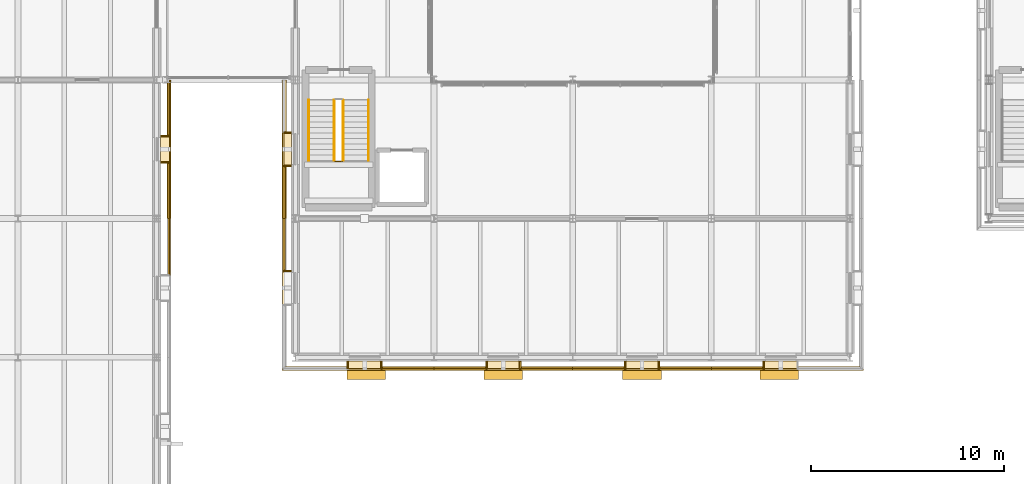
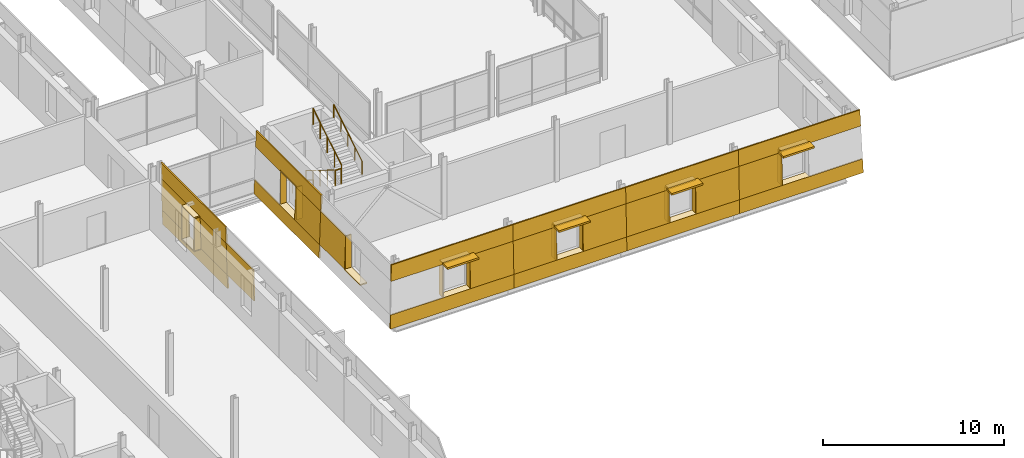
# One storey, part 95 of 115: 48 coverings, 5 railings, 4 shading devices.
"""IFC4 building model written with IfcOpenShell, lengths in metres."""

from ifc_helpers import new_model, si_unit, direction, frame, origin, origin_2d, place, context, subcontext, project, spatial, polyline, rectangle, circle, outline, extrude, material, layer, layer_set, type_object, element, save


model = new_model("IFC4")

# Units and contexts
model_context = context("Model", 3, precision=1e-05, world=origin(), true_north=direction((0.0, 1.0)))
body_context = subcontext(model_context, "Body", "Model", "MODEL_VIEW")
ifc_project = project(units=[si_unit("LENGTHUNIT", "METRE"), si_unit("AREAUNIT", "SQUARE_METRE"), si_unit("VOLUMEUNIT", "CUBIC_METRE"), si_unit("PLANEANGLEUNIT", "RADIAN"), si_unit("MASSUNIT", "GRAM", prefix="KILO")], contexts=[model_context])

# Site, building, storey
site_placement = place(None, origin())
site = spatial("IfcSite", under=ifc_project, at=site_placement, CompositionType="ELEMENT")
building_placement = place(site_placement, origin())
building = spatial("IfcBuilding", under=site, at=building_placement, Name="Narikvali Park Central Library", CompositionType="ELEMENT")
storey_placement = place(building_placement, frame((0.0, 0.0, 10.199951171875)))
storey = spatial("IfcBuildingStorey", under=building, at=storey_placement, Name="L02", CompositionType="ELEMENT", Elevation=10.199951171875)

# Coverings
ifc_material_1 = material(Name="White Honed Limestone Cladding", Category="masonry")
ifc_layer_1 = layer(ifc_material_1, 0.0849609375, Name="White Honed Limestone Cladding")
ifc_layer_set_1 = layer_set([ifc_layer_1], Name="White Honed Limestone Cladding")
covering_type_1 = type_object("IfcCoveringType", Name="Battered White Limestone Facade Cladding Panel", PredefinedType="CLADDING", material=ifc_layer_set_1)
covering_1_placement = place(storey_placement, frame((28.103515625, 49.70361328125, 0.0), z_axis=(0.0, -0.999432774777, 0.03367682738), x_axis=(1.0, 0.0, 0.0)))
element("IfcCovering", 1, at=covering_1_placement, inside=storey, type_object=covering_type_1, Name="V4 L02 S Battered Limestone Spandrel B01", PredefinedType="CLADDING", context=body_context, shape_type="SweptSolid", body=[
    extrude(outline(polyline([(0.0, 0.0), (7.896484375, 0.0), (7.896484375, 0.9206882532251457), (0.031005859375, 0.9206882532251457), (0.0, 0.0)])), origin(), (0.0, 0.0, -1.0), 0.0849609375),
])
covering_2_placement = place(storey_placement, frame((28.208740234375, 49.80859375, 3.1201171875), z_axis=(0.0, -0.999425428317, 0.033894147467), x_axis=(1.0, 0.0, 0.0)))
element("IfcCovering", 2, at=covering_2_placement, inside=storey, type_object=covering_type_1, Name="V4 L02 S Battered Limestone Lintel B01", PredefinedType="CLADDING", context=body_context, shape_type="SweptSolid", body=[
    extrude(outline(polyline([(0.0, 0.0), (7.791259765625, 0.0), (7.791259765625, 1.0804547830976703), (0.036376953125, 1.0804547830976703), (0.0, 0.0)])), origin(), (0.0, 0.0, -1.0), 0.0849609375),
])
covering_3_placement = place(storey_placement, frame((33.239990234375, 49.734619140625, 0.920166015625), z_axis=(0.0, -0.999435139525, 0.033606574995), x_axis=(1.0, 0.0, 0.0)))
element("IfcCovering", 3, at=covering_3_placement, inside=storey, type_object=covering_type_1, Name="V4 L02 S Battered Limestone Jamb Pier R B01", PredefinedType="CLADDING", context=body_context, shape_type="SweptSolid", body=[
    extrude(outline(polyline([(0.0, 0.0), (2.760009765625, 0.0), (2.760009765625, 2.201194539668489), (0.0, 2.201194539668489), (0.0, 0.0)])), origin(), (0.0, 0.0, -1.0), 0.0849609375),
])
covering_4_placement = place(storey_placement, frame((36.0, 49.70361328125, 0.0), z_axis=(0.0, -0.999432774777, 0.03367682738), x_axis=(1.0, 0.0, 0.0)))
element("IfcCovering", 4, at=covering_4_placement, inside=storey, type_object=covering_type_1, Name="V4 L02 S Battered Limestone Spandrel B02", PredefinedType="CLADDING", context=body_context, shape_type="SweptSolid", body=[
    extrude(outline(polyline([(0.0, 0.0), (7.199951171875, 0.0), (7.199951171875, 0.9206882532251458), (0.0, 0.9206882532251458), (0.0, 0.0)])), origin(), (0.0, 0.0, -1.0), 0.0849609375),
])
covering_5_placement = place(storey_placement, frame((36.0, 49.80859375, 3.1201171875), z_axis=(0.0, -0.999425428317, 0.033894147467), x_axis=(1.0, 0.0, 0.0)))
element("IfcCovering", 5, at=covering_5_placement, inside=storey, type_object=covering_type_1, Name="V4 L02 S Battered Limestone Lintel B02", PredefinedType="CLADDING", context=body_context, shape_type="SweptSolid", body=[
    extrude(outline(polyline([(0.0, 0.0), (7.199951171875, 0.0), (7.199951171875, 1.0804547830976703), (0.0, 1.0804547830976703), (0.0, 0.0)])), origin(), (0.0, 0.0, -1.0), 0.0849609375),
])
for number, where, z_axis, x_axis, name in (
    (6, (36.0, 49.734619140625, 0.920166015625), (0.0, -0.999435139525, 0.033606574995), (1.0, 0.0, 0.0), "V4 L02 S Battered Limestone Jamb Pier L B02"),
    (7, (40.43994140625, 49.734619140625, 0.920166015625), (0.0, -0.999435139525, 0.033606574995), (1.0, 0.0, 0.0), "V4 L02 S Battered Limestone Jamb Pier R B02"),
):
    element("IfcCovering", number, at=place(storey_placement, frame(where, z_axis=z_axis, x_axis=x_axis)), inside=storey, type_object=covering_type_1, Name=name, PredefinedType="CLADDING", context=body_context, shape_type="SweptSolid", body=[
        extrude(outline(polyline([(0.0, 0.0), (2.760009765625, 0.0), (2.760009765625, 2.201194539668489), (0.0, 2.201194539668489), (0.0, 0.0)])), origin(), (0.0, 0.0, -1.0), 0.0849609375),
    ])
covering_6_placement = place(storey_placement, frame((43.199951171875, 49.70361328125, 0.0), z_axis=(0.0, -0.999432774777, 0.03367682738), x_axis=(1.0, 0.0, 0.0)))
element("IfcCovering", 8, at=covering_6_placement, inside=storey, type_object=covering_type_1, Name="V4 L02 S Battered Limestone Spandrel B03", PredefinedType="CLADDING", context=body_context, shape_type="SweptSolid", body=[
    extrude(outline(polyline([(0.0, 0.0), (7.199951171875, 0.0), (7.199951171875, 0.9206882532251458), (0.0, 0.9206882532251458), (0.0, 0.0)])), origin(), (0.0, 0.0, -1.0), 0.0849609375),
])
covering_7_placement = place(storey_placement, frame((43.199951171875, 49.80859375, 3.1201171875), z_axis=(0.0, -0.999425428317, 0.033894147467), x_axis=(1.0, 0.0, 0.0)))
element("IfcCovering", 9, at=covering_7_placement, inside=storey, type_object=covering_type_1, Name="V4 L02 S Battered Limestone Lintel B03", PredefinedType="CLADDING", context=body_context, shape_type="SweptSolid", body=[
    extrude(outline(polyline([(0.0, 0.0), (7.199951171875, 0.0), (7.199951171875, 1.0804547830976703), (0.0, 1.0804547830976703), (0.0, 0.0)])), origin(), (0.0, 0.0, -1.0), 0.0849609375),
])
for number, where, z_axis, x_axis, name in (
    (10, (43.199951171875, 49.734619140625, 0.920166015625), (0.0, -0.999435139525, 0.033606574995), (1.0, 0.0, 0.0), "V4 L02 S Battered Limestone Jamb Pier L B03"),
    (11, (47.639892578125, 49.734619140625, 0.920166015625), (0.0, -0.999435139525, 0.033606574995), (1.0, 0.0, 0.0), "V4 L02 S Battered Limestone Jamb Pier R B03"),
):
    element("IfcCovering", number, at=place(storey_placement, frame(where, z_axis=z_axis, x_axis=x_axis)), inside=storey, type_object=covering_type_1, Name=name, PredefinedType="CLADDING", context=body_context, shape_type="SweptSolid", body=[
        extrude(outline(polyline([(0.0, 0.0), (2.760009765625, 0.0), (2.760009765625, 2.201194539668489), (0.0, 2.201194539668489), (0.0, 0.0)])), origin(), (0.0, 0.0, -1.0), 0.0849609375),
    ])
covering_8_placement = place(storey_placement, frame((50.39990234375, 49.70361328125, 0.0), z_axis=(0.0, -0.999432774777, 0.03367682738), x_axis=(1.0, 0.0, 0.0)))
element("IfcCovering", 12, at=covering_8_placement, inside=storey, type_object=covering_type_1, Name="V4 L02 S Battered Limestone Spandrel B04", PredefinedType="CLADDING", context=body_context, shape_type="SweptSolid", body=[
    extrude(outline(polyline([(0.0, 0.0), (7.896484375, 0.0), (7.865478515625, 0.9206882532251457), (0.0, 0.9206882532251457), (0.0, 0.0)])), origin(), (0.0, 0.0, -1.0), 0.0849609375),
])
covering_9_placement = place(storey_placement, frame((50.39990234375, 49.80859375, 3.1201171875), z_axis=(0.0, -0.999425428317, 0.033894147467), x_axis=(1.0, 0.0, 0.0)))
element("IfcCovering", 13, at=covering_9_placement, inside=storey, type_object=covering_type_1, Name="V4 L02 S Battered Limestone Lintel B04", PredefinedType="CLADDING", context=body_context, shape_type="SweptSolid", body=[
    extrude(outline(polyline([(0.0, 0.0), (7.79150390625, 0.0), (7.7548828125, 1.0804547830976703), (0.0, 1.0804547830976703), (0.0, 0.0)])), origin(), (0.0, 0.0, -1.0), 0.0849609375),
])
covering_10_placement = place(storey_placement, frame((50.39990234375, 49.734619140625, 0.920166015625), z_axis=(0.0, -0.999435139525, 0.033606574995), x_axis=(1.0, 0.0, 0.0)))
element("IfcCovering", 14, at=covering_10_placement, inside=storey, type_object=covering_type_1, Name="V4 L02 S Battered Limestone Jamb Pier L B04", PredefinedType="CLADDING", context=body_context, shape_type="SweptSolid", body=[
    extrude(outline(polyline([(0.0, 0.0), (2.760009765625, 0.0), (2.760009765625, 2.201194539668489), (0.0, 2.201194539668489), (0.0, 0.0)])), origin(), (0.0, 0.0, -1.0), 0.0849609375),
])
covering_11_placement = place(storey_placement, frame((28.103515625, 64.800048828125, 0.0), z_axis=(-0.999432774777, 0.0, 0.03367682738), x_axis=(0.0, -1.0, 0.0)))
element("IfcCovering", 15, at=covering_11_placement, inside=storey, type_object=covering_type_1, Name="V4 L02 W Battered Limestone Spandrel B08", PredefinedType="CLADDING", context=body_context, shape_type="SweptSolid", body=[
    extrude(outline(polyline([(0.0, 0.0), (7.199951171875, 0.0), (7.199951171875, 0.9206882532251458), (0.0, 0.9206882532251458), (0.0, 0.0)])), origin(), (0.0, 0.0, -1.0), 0.0849609375),
])
covering_12_placement = place(storey_placement, frame((28.208740234375, 64.800048828125, 3.1201171875), z_axis=(-0.999433057245, 0.0, 0.033668443484), x_axis=(0.0, -1.0, 0.0)))
element("IfcCovering", 16, at=covering_12_placement, inside=storey, type_object=covering_type_1, Name="V4 L02 W Battered Limestone Lintel B08", PredefinedType="CLADDING", context=body_context, shape_type="SweptSolid", body=[
    extrude(outline(polyline([(0.0, 0.0), (7.199951171875, 0.0), (7.199951171875, 1.0804465357109745), (0.0, 1.0804465357109745), (0.0, 0.0)])), origin(), (0.0, 0.0, -1.0), 0.0849609375),
])
for number, where, z_axis, x_axis, name in (
    (17, (28.134521484375, 60.360107421875, 0.920166015625), (-0.999431408105, 0.0, 0.033717361898), (0.0, -1.0, 0.0), "V4 L02 W Battered Limestone Jamb Pier R B08"),
    (18, (28.134521484375, 57.60009765625, 0.920166015625), (-0.999431408105, 0.0, 0.033717361898), (0.0, -1.0, 0.0), "V4 L02 W Battered Limestone Jamb Pier L B09"),
):
    element("IfcCovering", number, at=place(storey_placement, frame(where, z_axis=z_axis, x_axis=x_axis)), inside=storey, type_object=covering_type_1, Name=name, PredefinedType="CLADDING", context=body_context, shape_type="SweptSolid", body=[
        extrude(outline(polyline([(0.0, 0.0), (2.760009765625, 0.0), (2.760009765625, 2.2012027579225295), (0.0, 2.2012027579225295), (0.0, 0.0)])), origin(), (0.0, 0.0, -1.0), 0.0849609375),
    ])
covering_13_placement = place(storey_placement, frame((22.32373046875, 54.639892578125, 0.949951171875), z_axis=(0.99959734633, 0.0, 0.028375080797), x_axis=(0.0, 1.0, 0.0)))
element("IfcCovering", 19, at=covering_13_placement, inside=storey, type_object=covering_type_1, Name="V5 L02 E Battered Limestone Jamb Pier R B04", PredefinedType="CLADDING", context=body_context, shape_type="SweptSolid", body=[
    extrude(outline(polyline([(0.0, 0.0), (2.960205078125, 0.0), (2.960205078125, 2.1510125974918495), (0.0, 2.1510125974918495), (0.0, 0.0)])), origin(), (0.0, 0.0, -1.0), 0.0849609375),
])
covering_14_placement = place(storey_placement, frame((22.3505859375, 57.60009765625, 0.0), z_axis=(0.999600632529, 0.0, 0.02825907725), x_axis=(0.0, 1.0, 0.0)))
element("IfcCovering", 20, at=covering_14_placement, inside=storey, type_object=covering_type_1, Name="V5 L02 E Battered Limestone Spandrel B05", PredefinedType="CLADDING", context=body_context, shape_type="SweptSolid", body=[
    extrude(outline(polyline([(0.0, 0.0), (7.199951171875, 0.0), (7.199951171875, 0.9503307030441919), (0.0, 0.9503307030441919), (0.0, 0.0)])), origin(), (0.0, 0.0, -1.0), 0.0849609375),
])
covering_15_placement = place(storey_placement, frame((22.2626953125, 57.60009765625, 3.10009765625), z_axis=(0.999596598509, 0.0, 0.028401412788), x_axis=(0.0, 1.0, 0.0)))
element("IfcCovering", 21, at=covering_15_placement, inside=storey, type_object=covering_type_1, Name="V5 L02 E Battered Limestone Lintel B05", PredefinedType="CLADDING", context=body_context, shape_type="SweptSolid", body=[
    extrude(outline(polyline([(0.0, 0.0), (7.199951171875, 0.0), (7.199951171875, 1.100297377227026), (0.0, 1.100297377227026), (0.0, 0.0)])), origin(), (0.0, 0.0, -1.0), 0.0849609375),
])
for number, where, z_axis, x_axis, name in (
    (22, (22.32373046875, 57.60009765625, 0.949951171875), (0.99959734633, 0.0, 0.028375080797), (0.0, 1.0, 0.0), "V5 L02 E Battered Limestone Jamb Pier L B05"),
    (23, (22.32373046875, 61.840087890625, 0.949951171875), (0.99959734633, 0.0, 0.028375080797), (0.0, 1.0, 0.0), "V5 L02 E Battered Limestone Jamb Pier R B05"),
):
    element("IfcCovering", number, at=place(storey_placement, frame(where, z_axis=z_axis, x_axis=x_axis)), inside=storey, type_object=covering_type_1, Name=name, PredefinedType="CLADDING", context=body_context, shape_type="SweptSolid", body=[
        extrude(outline(polyline([(0.0, 0.0), (2.9599609375, 0.0), (2.9599609375, 2.1510125974918495), (0.0, 2.1510125974918495), (0.0, 0.0)])), origin(), (0.0, 0.0, -1.0), 0.0849609375),
    ])

# Shading devices
ifc_material_2 = material(Name="Anodised Bronze Aluminium", Category="aluminium")
ifc_layer_2 = layer(ifc_material_2, 0.1201171875, Name="Anodised Bronze Aluminium")
ifc_layer_set_2 = layer_set([ifc_layer_2], Name="Anodised Bronze Aluminium")
shading_device_type = type_object("IfcShadingDeviceType", Name="Bronze Classical Cornice Sun Brise-Soleil 650", PredefinedType="SHUTTER", material=ifc_layer_set_2)
for number, where, z_axis, x_axis, name in (
    (24, (32.47705078125, 49.568603515625, 3.119873046875), (0.0, 0.0, 1.0), (1.0, 0.0, 0.0), "V4 L02 Classical Bronze Brise-Soleil 01"),
    (25, (39.60009765625, 49.568603515625, 3.119873046875), (0.0, 0.0, 1.0), (1.0, 0.0, 0.0), "V4 L02 Classical Bronze Brise-Soleil 02"),
    (26, (46.800048828125, 49.568603515625, 3.119873046875), (0.0, 0.0, 1.0), (1.0, 0.0, 0.0), "V4 L02 Classical Bronze Brise-Soleil 03"),
    (27, (53.923095703125, 49.568603515625, 3.119873046875), (0.0, 0.0, 1.0), (1.0, 0.0, 0.0), "V4 L02 Classical Bronze Brise-Soleil 04"),
):
    element("IfcShadingDevice", number, at=place(storey_placement, frame(where, z_axis=z_axis, x_axis=x_axis)), inside=storey, type_object=shading_device_type, Name=name, PredefinedType="SHUTTER", context=body_context, shape_type="SweptSolid", body=[
        extrude(rectangle(XDim=2.0, YDim=0.64990234375, at=origin_2d()), origin(), (0.0, 0.0, 1.0), 0.1201171875),
    ])

# Coverings
ifc_layer_3 = layer(ifc_material_1, 0.080078125, Name="White Honed Limestone Cladding")
ifc_layer_set_3 = layer_set([ifc_layer_3], Name="White Honed Limestone Cladding")
covering_type_2 = type_object("IfcCoveringType", Name="Deep Carved White Limestone Window Reveal", PredefinedType="CLADDING", material=ifc_layer_set_3)
covering_16_placement = place(storey_placement, frame((0.0, 0.0, 3.1201171875)))
element("IfcCovering", 28, at=covering_16_placement, inside=storey, type_object=covering_type_2, Name="Deep Stone Reveal Head V4-RVL-L02-S-B01", PredefinedType="CLADDING", context=body_context, shape_type="SweptSolid", body=[
    extrude(outline(polyline([(31.52001953125, 50.195068359375), (33.280029296875, 50.195068359375), (33.280029296875, 49.80859375), (31.52001953125, 49.80859375), (31.52001953125, 50.195068359375)])), origin(), (0.0, 0.0, 1.0), 0.079833984375),
])
covering_17_placement = place(storey_placement, frame((0.0, 0.0, 0.840087890625)))
element("IfcCovering", 29, at=covering_17_placement, inside=storey, type_object=covering_type_2, Name="Deep Stone Reveal Sill V4-RVL-L02-S-B01", PredefinedType="CLADDING", context=body_context, shape_type="SweptSolid", body=[
    extrude(outline(polyline([(31.52001953125, 50.195068359375), (33.280029296875, 50.195068359375), (33.280029296875, 49.734619140625), (31.52001953125, 49.734619140625), (31.52001953125, 50.195068359375)])), origin(), (0.0, 0.0, 1.0), 0.080078125),
])
covering_18_placement = place(storey_placement, frame((0.0, 0.0, 0.920166015625)))
element("IfcCovering", 30, at=covering_18_placement, inside=storey, type_object=covering_type_2, Name="Deep Stone Reveal Jamb L V4-RVL-L02-S-B01", PredefinedType="CLADDING", context=body_context, shape_type="SweptSolid", body=[
    extrude(outline(polyline([(31.47998046875, 50.195068359375), (31.56005859375, 50.195068359375), (31.56005859375, 49.80859375), (31.47998046875, 49.80859375), (31.47998046875, 50.195068359375)])), origin(), (0.0, 0.0, 1.0), 2.199951171875),
])
covering_19_placement = place(storey_placement, frame((0.0, 0.0, 0.920166015625)))
element("IfcCovering", 31, at=covering_19_placement, inside=storey, type_object=covering_type_2, Name="Deep Stone Reveal Jamb R V4-RVL-L02-S-B01", PredefinedType="CLADDING", context=body_context, shape_type="SweptSolid", body=[
    extrude(outline(polyline([(33.239990234375, 50.195068359375), (33.320068359375, 50.195068359375), (33.320068359375, 49.80859375), (33.239990234375, 49.80859375), (33.239990234375, 50.195068359375)])), origin(), (0.0, 0.0, 1.0), 2.199951171875),
])
covering_20_placement = place(storey_placement, frame((0.0, 0.0, 3.1201171875)))
element("IfcCovering", 32, at=covering_20_placement, inside=storey, type_object=covering_type_2, Name="Deep Stone Reveal Head V4-RVL-L02-S-B02", PredefinedType="CLADDING", context=body_context, shape_type="SweptSolid", body=[
    extrude(outline(polyline([(38.719970703125, 50.195068359375), (40.47998046875, 50.195068359375), (40.47998046875, 49.80859375), (38.719970703125, 49.80859375), (38.719970703125, 50.195068359375)])), origin(), (0.0, 0.0, 1.0), 0.079833984375),
])
covering_21_placement = place(storey_placement, frame((0.0, 0.0, 0.840087890625)))
element("IfcCovering", 33, at=covering_21_placement, inside=storey, type_object=covering_type_2, Name="Deep Stone Reveal Sill V4-RVL-L02-S-B02", PredefinedType="CLADDING", context=body_context, shape_type="SweptSolid", body=[
    extrude(outline(polyline([(38.719970703125, 50.195068359375), (40.47998046875, 50.195068359375), (40.47998046875, 49.734619140625), (38.719970703125, 49.734619140625), (38.719970703125, 50.195068359375)])), origin(), (0.0, 0.0, 1.0), 0.080078125),
])
covering_22_placement = place(storey_placement, frame((0.0, 0.0, 0.920166015625)))
element("IfcCovering", 34, at=covering_22_placement, inside=storey, type_object=covering_type_2, Name="Deep Stone Reveal Jamb L V4-RVL-L02-S-B02", PredefinedType="CLADDING", context=body_context, shape_type="SweptSolid", body=[
    extrude(outline(polyline([(38.679931640625, 50.195068359375), (38.760009765625, 50.195068359375), (38.760009765625, 49.80859375), (38.679931640625, 49.80859375), (38.679931640625, 50.195068359375)])), origin(), (0.0, 0.0, 1.0), 2.199951171875),
])
covering_23_placement = place(storey_placement, frame((0.0, 0.0, 0.920166015625)))
element("IfcCovering", 35, at=covering_23_placement, inside=storey, type_object=covering_type_2, Name="Deep Stone Reveal Jamb R V4-RVL-L02-S-B02", PredefinedType="CLADDING", context=body_context, shape_type="SweptSolid", body=[
    extrude(outline(polyline([(40.43994140625, 50.195068359375), (40.52001953125, 50.195068359375), (40.52001953125, 49.80859375), (40.43994140625, 49.80859375), (40.43994140625, 50.195068359375)])), origin(), (0.0, 0.0, 1.0), 2.199951171875),
])
covering_24_placement = place(storey_placement, frame((0.0, 0.0, 3.1201171875)))
element("IfcCovering", 36, at=covering_24_placement, inside=storey, type_object=covering_type_2, Name="Deep Stone Reveal Head V4-RVL-L02-S-B03", PredefinedType="CLADDING", context=body_context, shape_type="SweptSolid", body=[
    extrude(outline(polyline([(45.919921875, 50.195068359375), (47.679931640625, 50.195068359375), (47.679931640625, 49.80859375), (45.919921875, 49.80859375), (45.919921875, 50.195068359375)])), origin(), (0.0, 0.0, 1.0), 0.079833984375),
])
covering_25_placement = place(storey_placement, frame((0.0, 0.0, 0.840087890625)))
element("IfcCovering", 37, at=covering_25_placement, inside=storey, type_object=covering_type_2, Name="Deep Stone Reveal Sill V4-RVL-L02-S-B03", PredefinedType="CLADDING", context=body_context, shape_type="SweptSolid", body=[
    extrude(outline(polyline([(45.919921875, 50.195068359375), (47.679931640625, 50.195068359375), (47.679931640625, 49.734619140625), (45.919921875, 49.734619140625), (45.919921875, 50.195068359375)])), origin(), (0.0, 0.0, 1.0), 0.080078125),
])
covering_26_placement = place(storey_placement, frame((0.0, 0.0, 0.920166015625)))
element("IfcCovering", 38, at=covering_26_placement, inside=storey, type_object=covering_type_2, Name="Deep Stone Reveal Jamb L V4-RVL-L02-S-B03", PredefinedType="CLADDING", context=body_context, shape_type="SweptSolid", body=[
    extrude(outline(polyline([(45.8798828125, 50.195068359375), (45.9599609375, 50.195068359375), (45.9599609375, 49.80859375), (45.8798828125, 49.80859375), (45.8798828125, 50.195068359375)])), origin(), (0.0, 0.0, 1.0), 2.199951171875),
])
covering_27_placement = place(storey_placement, frame((0.0, 0.0, 0.920166015625)))
element("IfcCovering", 39, at=covering_27_placement, inside=storey, type_object=covering_type_2, Name="Deep Stone Reveal Jamb R V4-RVL-L02-S-B03", PredefinedType="CLADDING", context=body_context, shape_type="SweptSolid", body=[
    extrude(outline(polyline([(47.639892578125, 50.195068359375), (47.719970703125, 50.195068359375), (47.719970703125, 49.80859375), (47.639892578125, 49.80859375), (47.639892578125, 50.195068359375)])), origin(), (0.0, 0.0, 1.0), 2.199951171875),
])
covering_28_placement = place(storey_placement, frame((0.0, 0.0, 3.1201171875)))
element("IfcCovering", 40, at=covering_28_placement, inside=storey, type_object=covering_type_2, Name="Deep Stone Reveal Head V4-RVL-L02-S-B04", PredefinedType="CLADDING", context=body_context, shape_type="SweptSolid", body=[
    extrude(outline(polyline([(53.1201171875, 50.195068359375), (54.8798828125, 50.195068359375), (54.8798828125, 49.80859375), (53.1201171875, 49.80859375), (53.1201171875, 50.195068359375)])), origin(), (0.0, 0.0, 1.0), 0.079833984375),
])
covering_29_placement = place(storey_placement, frame((0.0, 0.0, 0.840087890625)))
element("IfcCovering", 41, at=covering_29_placement, inside=storey, type_object=covering_type_2, Name="Deep Stone Reveal Sill V4-RVL-L02-S-B04", PredefinedType="CLADDING", context=body_context, shape_type="SweptSolid", body=[
    extrude(outline(polyline([(53.1201171875, 50.195068359375), (54.8798828125, 50.195068359375), (54.8798828125, 49.734619140625), (53.1201171875, 49.734619140625), (53.1201171875, 50.195068359375)])), origin(), (0.0, 0.0, 1.0), 0.080078125),
])
covering_30_placement = place(storey_placement, frame((0.0, 0.0, 0.920166015625)))
element("IfcCovering", 42, at=covering_30_placement, inside=storey, type_object=covering_type_2, Name="Deep Stone Reveal Jamb L V4-RVL-L02-S-B04", PredefinedType="CLADDING", context=body_context, shape_type="SweptSolid", body=[
    extrude(outline(polyline([(53.080078125, 50.195068359375), (53.159912109375, 50.195068359375), (53.159912109375, 49.80859375), (53.080078125, 49.80859375), (53.080078125, 50.195068359375)])), origin(), (0.0, 0.0, 1.0), 2.199951171875),
])
covering_31_placement = place(storey_placement, frame((0.0, 0.0, 3.1201171875)))
element("IfcCovering", 43, at=covering_31_placement, inside=storey, type_object=covering_type_2, Name="Deep Stone Reveal Head V4-RVL-L02-W-B08", PredefinedType="CLADDING", context=body_context, shape_type="SweptSolid", body=[
    extrude(outline(polyline([(28.594970703125, 62.080078125), (28.594970703125, 60.320068359375), (28.208740234375, 60.320068359375), (28.208740234375, 62.080078125), (28.594970703125, 62.080078125)])), origin(), (0.0, 0.0, 1.0), 0.079833984375),
])
covering_32_placement = place(storey_placement, frame((0.0, 0.0, 0.840087890625)))
element("IfcCovering", 44, at=covering_32_placement, inside=storey, type_object=covering_type_2, Name="Deep Stone Reveal Sill V4-RVL-L02-W-B08", PredefinedType="CLADDING", context=body_context, shape_type="SweptSolid", body=[
    extrude(outline(polyline([(28.594970703125, 62.080078125), (28.594970703125, 60.320068359375), (28.134521484375, 60.320068359375), (28.134521484375, 62.080078125), (28.594970703125, 62.080078125)])), origin(), (0.0, 0.0, 1.0), 0.080078125),
])
covering_33_placement = place(storey_placement, frame((0.0, 0.0, 0.920166015625)))
element("IfcCovering", 45, at=covering_33_placement, inside=storey, type_object=covering_type_2, Name="Deep Stone Reveal Jamb L V4-RVL-L02-W-B08", PredefinedType="CLADDING", context=body_context, shape_type="SweptSolid", body=[
    extrude(outline(polyline([(28.594970703125, 62.1201171875), (28.594970703125, 62.0400390625), (28.208740234375, 62.0400390625), (28.208740234375, 62.1201171875), (28.594970703125, 62.1201171875)])), origin(), (0.0, 0.0, 1.0), 2.199951171875),
])
covering_34_placement = place(storey_placement, frame((0.0, 0.0, 0.920166015625)))
element("IfcCovering", 46, at=covering_34_placement, inside=storey, type_object=covering_type_2, Name="Deep Stone Reveal Jamb R V4-RVL-L02-W-B08", PredefinedType="CLADDING", context=body_context, shape_type="SweptSolid", body=[
    extrude(outline(polyline([(28.594970703125, 60.360107421875), (28.594970703125, 60.280029296875), (28.208740234375, 60.280029296875), (28.208740234375, 60.360107421875), (28.594970703125, 60.360107421875)])), origin(), (0.0, 0.0, 1.0), 2.199951171875),
])
covering_35_placement = place(storey_placement, frame((0.0, 0.0, 0.840087890625)))
element("IfcCovering", 47, at=covering_35_placement, inside=storey, type_object=covering_type_2, Name="Deep Stone Reveal Sill V4-RVL-L02-W-B09", PredefinedType="CLADDING", context=body_context, shape_type="SweptSolid", body=[
    extrude(outline(polyline([(28.594970703125, 54.8798828125), (28.594970703125, 53.1201171875), (28.134521484375, 53.1201171875), (28.134521484375, 54.8798828125), (28.594970703125, 54.8798828125)])), origin(), (0.0, 0.0, 1.0), 0.080078125),
])
covering_36_placement = place(storey_placement, frame((0.0, 0.0, 0.920166015625)))
element("IfcCovering", 48, at=covering_36_placement, inside=storey, type_object=covering_type_2, Name="Deep Stone Reveal Jamb L V4-RVL-L02-W-B09", PredefinedType="CLADDING", context=body_context, shape_type="SweptSolid", body=[
    extrude(outline(polyline([(28.594970703125, 54.919921875), (28.594970703125, 54.840087890625), (28.208740234375, 54.840087890625), (28.208740234375, 54.919921875), (28.594970703125, 54.919921875)])), origin(), (0.0, 0.0, 1.0), 2.199951171875),
])
covering_37_placement = place(storey_placement, frame((0.0, 0.0, 3.10009765625)))
element("IfcCovering", 49, at=covering_37_placement, inside=storey, type_object=covering_type_2, Name="Deep Stone Reveal Head V5-RVL-L02-E-B05", PredefinedType="CLADDING", context=body_context, shape_type="SweptSolid", body=[
    extrude(outline(polyline([(21.804931640625, 60.52001953125), (21.804931640625, 61.8798828125), (22.2626953125, 61.8798828125), (22.2626953125, 60.52001953125), (21.804931640625, 60.52001953125)])), origin(), (0.0, 0.0, 1.0), 0.079833984375),
])
covering_38_placement = place(storey_placement, frame((0.0, 0.0, 0.8701171875)))
element("IfcCovering", 50, at=covering_38_placement, inside=storey, type_object=covering_type_2, Name="Deep Stone Reveal Sill V5-RVL-L02-E-B05", PredefinedType="CLADDING", context=body_context, shape_type="SweptSolid", body=[
    extrude(outline(polyline([(21.804931640625, 60.52001953125), (21.804931640625, 61.8798828125), (22.32373046875, 61.8798828125), (22.32373046875, 60.52001953125), (21.804931640625, 60.52001953125)])), origin(), (0.0, 0.0, 1.0), 0.079833984375),
])
covering_39_placement = place(storey_placement, frame((0.0, 0.0, 0.949951171875)))
element("IfcCovering", 51, at=covering_39_placement, inside=storey, type_object=covering_type_2, Name="Deep Stone Reveal Jamb L V5-RVL-L02-E-B05", PredefinedType="CLADDING", context=body_context, shape_type="SweptSolid", body=[
    extrude(outline(polyline([(21.804931640625, 60.47998046875), (21.804931640625, 60.56005859375), (22.2626953125, 60.56005859375), (22.2626953125, 60.47998046875), (21.804931640625, 60.47998046875)])), origin(), (0.0, 0.0, 1.0), 2.150146484375),
])
covering_40_placement = place(storey_placement, frame((0.0, 0.0, 0.949951171875)))
element("IfcCovering", 52, at=covering_40_placement, inside=storey, type_object=covering_type_2, Name="Deep Stone Reveal Jamb R V5-RVL-L02-E-B05", PredefinedType="CLADDING", context=body_context, shape_type="SweptSolid", body=[
    extrude(outline(polyline([(21.804931640625, 61.840087890625), (21.804931640625, 61.919921875), (22.2626953125, 61.919921875), (22.2626953125, 61.840087890625), (21.804931640625, 61.840087890625)])), origin(), (0.0, 0.0, 1.0), 2.150146484375),
])

# Railings
ifc_material_3 = material(Name="Brushed Stainless Steel S355", Category="steel")
ifc_layer_4 = layer(ifc_material_3, 0.044921875, Name="Brushed Stainless Steel S355")
ifc_layer_set_4 = layer_set([ifc_layer_4], Name="Brushed Stainless Steel S355")
railing_type_1 = type_object("IfcRailingType", Name="Stair Tubular Steel Handrail 900", PredefinedType="HANDRAIL", material=ifc_layer_set_4)
railing_1_placement = place(storey_placement, frame((29.5, 63.75, 0.175048828125)))
element("IfcRailing", 53, at=railing_1_placement, inside=storey, type_object=railing_type_1, Name="L02 ST-07 stair handrail 1", PredefinedType="HANDRAIL", context=body_context, shape_type="SweptSolid", body=[
    extrude(circle(Radius=0.02392578125, at=origin_2d()), frame((0.0, 0.0, 0.8759765625), z_axis=(0.0, -0.852166034122, 0.523271488128), x_axis=(1.0, 0.0, 0.0)), (0.0, 0.0, 1.0), 3.678955078125),
    extrude(circle(Radius=0.02099609375, at=origin_2d()), origin(), (0.0, 0.0, 1.0), 0.851806640625),
    extrude(circle(Radius=0.02099609375, at=origin_2d()), frame((0.0, -0.78369140625, 0.481201171875)), (0.0, 0.0, 1.0), 0.851806640625),
    extrude(circle(Radius=0.02099609375, at=origin_2d()), frame((0.0, -1.5673828125, 0.96240234375)), (0.0, 0.0, 1.0), 0.851806640625),
    extrude(circle(Radius=0.02099609375, at=origin_2d()), frame((0.0, -2.351318359375, 1.44384765625)), (0.0, 0.0, 1.0), 0.851806640625),
    extrude(circle(Radius=0.02099609375, at=origin_2d()), frame((0.0, -3.135009765625, 1.925048828125)), (0.0, 0.0, 1.0), 0.851806640625),
])
railing_2_placement = place(storey_placement, frame((32.60009765625, 60.614990234375, 2.275146484375)))
element("IfcRailing", 54, at=railing_2_placement, inside=storey, type_object=railing_type_1, Name="L02 ST-07 stair handrail 2", PredefinedType="HANDRAIL", context=body_context, shape_type="SweptSolid", body=[
    extrude(circle(Radius=0.02392578125, at=origin_2d()), frame((0.0, 0.0, 0.8759765625), z_axis=(0.0, 0.852195625947, 0.523223293744), x_axis=(-1.0, 0.0, 0.0)), (0.0, 0.0, 1.0), 3.6787109375),
    extrude(circle(Radius=0.02099609375, at=origin_2d()), origin(), (0.0, 0.0, 1.0), 0.851806640625),
    extrude(circle(Radius=0.02099609375, at=origin_2d()), frame((0.0, 0.78369140625, 0.481201171875)), (0.0, 0.0, 1.0), 0.851806640625),
    extrude(circle(Radius=0.02099609375, at=origin_2d()), frame((0.0, 1.5673828125, 0.96240234375)), (0.0, 0.0, 1.0), 0.851806640625),
    extrude(circle(Radius=0.02099609375, at=origin_2d()), frame((0.0, 2.351318359375, 1.443603515625)), (0.0, 0.0, 1.0), 0.851806640625),
    extrude(circle(Radius=0.02099609375, at=origin_2d()), frame((0.0, 3.135009765625, 1.9248046875)), (0.0, 0.0, 1.0), 0.851806640625),
])
ifc_material_4 = material(Name="Powder-Coated Steel S275", Category="steel")
ifc_layer_5 = layer(ifc_material_4, 0.050048828125, Name="Powder-Coated Steel S275")
ifc_layer_set_5 = layer_set([ifc_layer_5], Name="Powder-Coated Steel S275")
railing_type_2 = type_object("IfcRailingType", Name="Stair Well Steel Guardrail 1100", PredefinedType="GUARDRAIL", material=ifc_layer_set_5)
railing_3_placement = place(storey_placement, frame((30.820068359375, 63.75, 0.175048828125)))
element("IfcRailing", 55, at=railing_3_placement, inside=storey, type_object=railing_type_2, Name="L02 ST-07 stair guard 1", PredefinedType="GUARDRAIL", context=body_context, shape_type="SweptSolid", body=[
    extrude(circle(Radius=0.02392578125, at=origin_2d()), frame((0.0, 0.0, 1.076171875), z_axis=(0.0, -0.852166034122, 0.523271488128), x_axis=(1.0, 0.0, 0.0)), (0.0, 0.0, 1.0), 3.678955078125),
    extrude(circle(Radius=0.02099609375, at=origin_2d()), origin(), (0.0, 0.0, 1.0), 1.052001953125),
    extrude(circle(Radius=0.02099609375, at=origin_2d()), frame((0.0, -0.78369140625, 0.481201171875)), (0.0, 0.0, 1.0), 1.052001953125),
    extrude(circle(Radius=0.02099609375, at=origin_2d()), frame((0.0, -1.5673828125, 0.96240234375)), (0.0, 0.0, 1.0), 1.052001953125),
    extrude(circle(Radius=0.02099609375, at=origin_2d()), frame((0.0, -2.351318359375, 1.44384765625)), (0.0, 0.0, 1.0), 1.052001953125),
    extrude(circle(Radius=0.02099609375, at=origin_2d()), frame((0.0, -3.135009765625, 1.925048828125)), (0.0, 0.0, 1.0), 1.052001953125),
])
railing_4_placement = place(storey_placement, frame((30.8701171875, 60.56494140625, 2.10009765625)))
element("IfcRailing", 56, at=railing_4_placement, inside=storey, type_object=railing_type_2, Name="L02 ST-07 stair guard 2", PredefinedType="GUARDRAIL", context=body_context, shape_type="SweptSolid", body=[
    extrude(circle(Radius=0.02392578125, at=origin_2d()), frame((0.0, 0.0, 1.076171875), z_axis=(1.0, 0.0, 0.0), x_axis=(0.0, 1.0, 0.0)), (0.0, 0.0, 1.0), 0.35986328125),
    extrude(circle(Radius=0.02099609375, at=origin_2d()), origin(), (0.0, 0.0, 1.0), 1.052001953125),
    extrude(circle(Radius=0.02099609375, at=origin_2d()), frame((0.35986328125, 0.0, 0.0)), (0.0, 0.0, 1.0), 1.052001953125),
])
railing_5_placement = place(storey_placement, frame((31.280029296875, 60.614990234375, 2.275146484375)))
element("IfcRailing", 57, at=railing_5_placement, inside=storey, type_object=railing_type_2, Name="L02 ST-07 stair guard 3", PredefinedType="GUARDRAIL", context=body_context, shape_type="SweptSolid", body=[
    extrude(circle(Radius=0.02392578125, at=origin_2d()), frame((0.0, 0.0, 1.076171875), z_axis=(0.0, 0.852195625947, 0.523223293744), x_axis=(-1.0, 0.0, 0.0)), (0.0, 0.0, 1.0), 3.6787109375),
    extrude(circle(Radius=0.02099609375, at=origin_2d()), origin(), (0.0, 0.0, 1.0), 1.052001953125),
    extrude(circle(Radius=0.02099609375, at=origin_2d()), frame((0.0, 0.78369140625, 0.481201171875)), (0.0, 0.0, 1.0), 1.052001953125),
    extrude(circle(Radius=0.02099609375, at=origin_2d()), frame((0.0, 1.5673828125, 0.96240234375)), (0.0, 0.0, 1.0), 1.052001953125),
    extrude(circle(Radius=0.02099609375, at=origin_2d()), frame((0.0, 2.351318359375, 1.443603515625)), (0.0, 0.0, 1.0), 1.052001953125),
    extrude(circle(Radius=0.02099609375, at=origin_2d()), frame((0.0, 3.135009765625, 1.9248046875)), (0.0, 0.0, 1.0), 1.052001953125),
])

save(model, "model.ifc")
